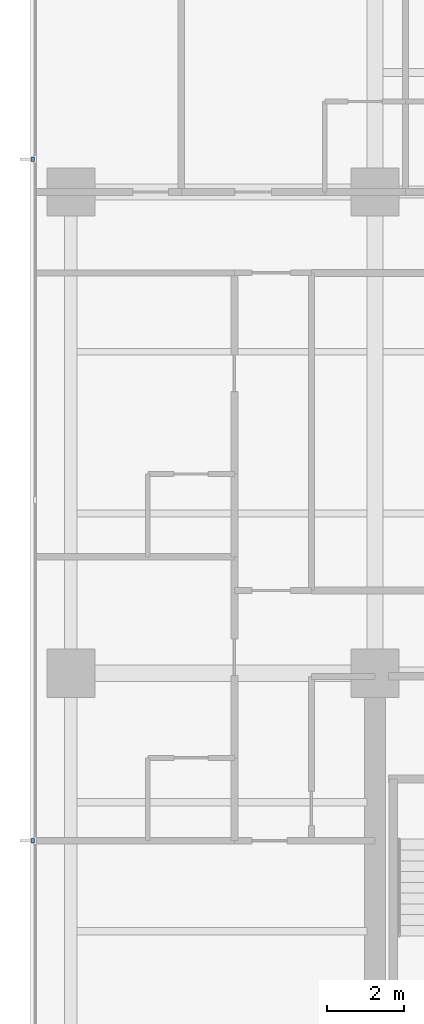
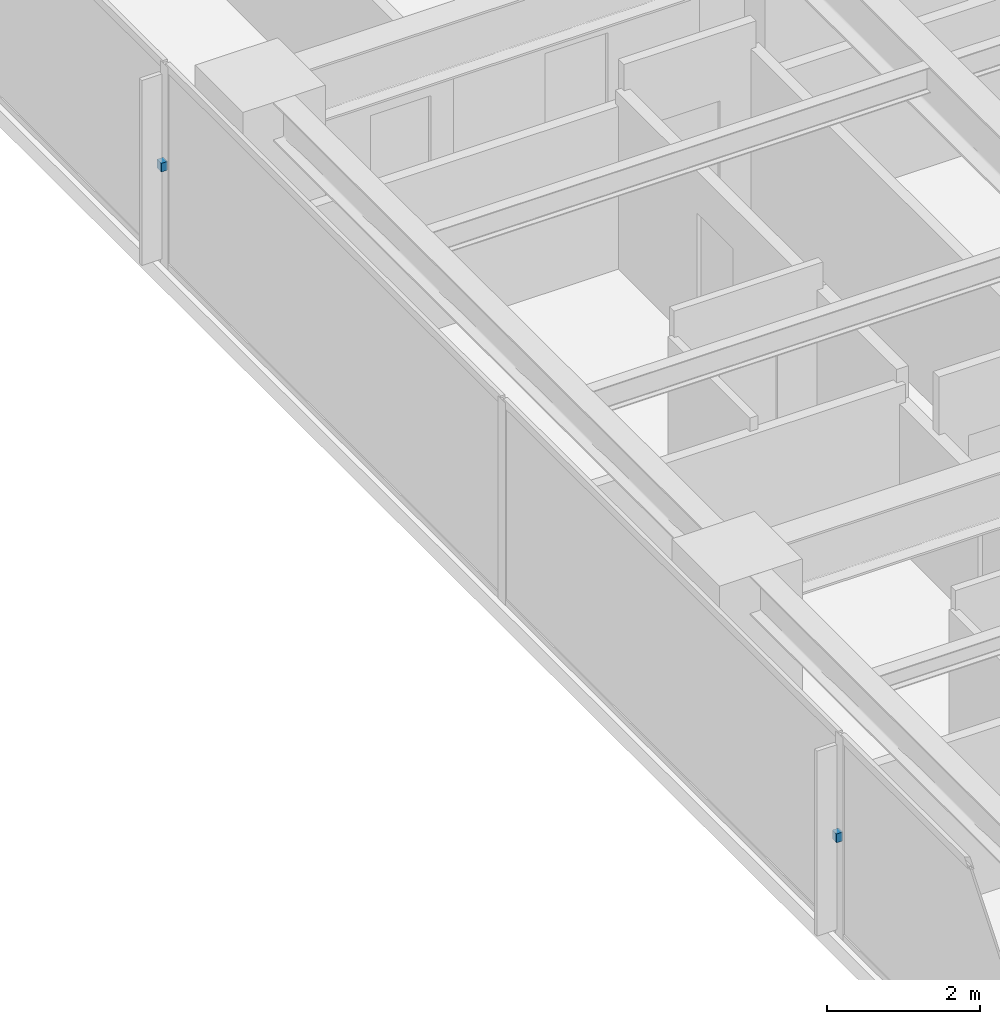
# One storey, part 13 of 17: 2 discrete accessories.
"""IFC4 building model written with IfcOpenShell, lengths in metres."""

from ifc_helpers import new_model, si_unit, direction, frame, origin, place, context, subcontext, project, spatial, polyline, outline, extrude, material, type_object, element, save


model = new_model("IFC4")

# Units and contexts
model_context = context("Model", 3, precision=1e-05, world=origin(), true_north=direction((0.0, 1.0)))
body_context = subcontext(model_context, "Body", "Model", "MODEL_VIEW")
ifc_project = project(units=[si_unit("LENGTHUNIT", "METRE"), si_unit("AREAUNIT", "SQUARE_METRE"), si_unit("VOLUMEUNIT", "CUBIC_METRE"), si_unit("PLANEANGLEUNIT", "RADIAN"), si_unit("MASSUNIT", "GRAM", prefix="KILO")], contexts=[model_context])

# Site, building, storey
site_placement = place(None, origin())
site = spatial("IfcSite", under=ifc_project, at=site_placement, CompositionType="ELEMENT")
building_placement = place(site_placement, origin())
building = spatial("IfcBuilding", under=site, at=building_placement, Name="Qalmaran Belvedere Hotel", CompositionType="ELEMENT")
storey_placement = place(building_placement, frame((0.0, 0.0, 109.199951171875)))
storey = spatial("IfcBuildingStorey", under=building, at=storey_placement, Name="L27", CompositionType="ELEMENT", Elevation=109.199951171875)

# Discrete accessories
ifc_material = material(Name="Stainless Steel 1.4401", Category="steel")
discrete_accessory_type = type_object("IfcDiscreteAccessoryType", Name="BRK-FIN-SS316", PredefinedType="BRACKET", material=ifc_material)
discrete_accessory_1_placement = place(storey_placement, frame((0.0, 0.0, 1.570068359375)))
element("IfcDiscreteAccessory", 1, at=discrete_accessory_1_placement, inside=storey, type_object=discrete_accessory_type, Name="L27 Fin Bracket 1", PredefinedType="BRACKET", context=body_context, shape_type="SweptSolid", body=[
    extrude(outline(polyline([(11.455078125, 33.905029296875), (11.360107421875, 33.905029296875), (11.360107421875, 33.794921875), (11.455078125, 33.794921875), (11.455078125, 33.905029296875)])), origin(), (0.0, 0.0, 1.0), 0.139892578125),
])
discrete_accessory_2_placement = place(storey_placement, frame((0.0, 0.0, 1.570068359375)))
element("IfcDiscreteAccessory", 2, at=discrete_accessory_2_placement, inside=storey, type_object=discrete_accessory_type, Name="L27 Fin Bracket 3", PredefinedType="BRACKET", context=body_context, shape_type="SweptSolid", body=[
    extrude(outline(polyline([(11.455078125, 16.205078125), (11.360107421875, 16.205078125), (11.360107421875, 16.094970703125), (11.455078125, 16.094970703125), (11.455078125, 16.205078125)])), origin(), (0.0, 0.0, 1.0), 0.139892578125),
])

save(model, "model.ifc")
